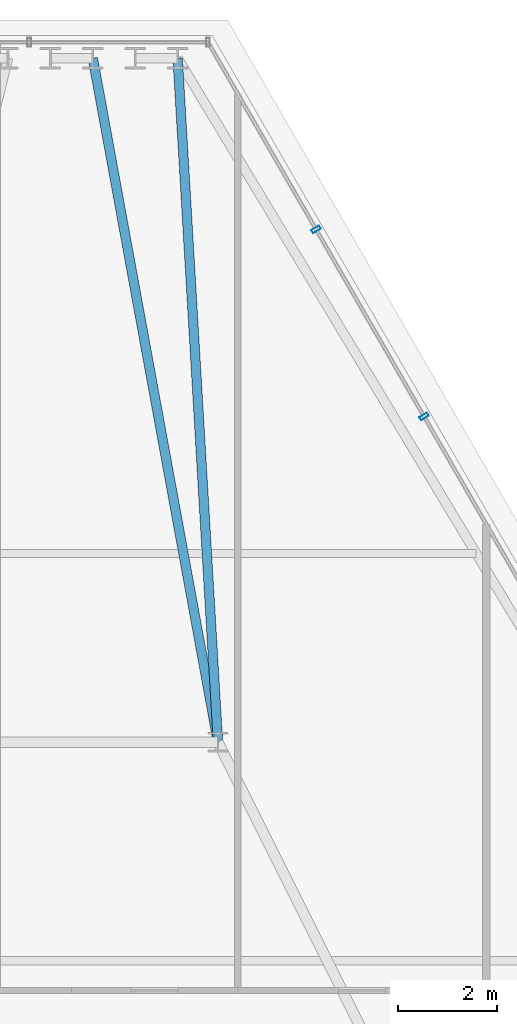
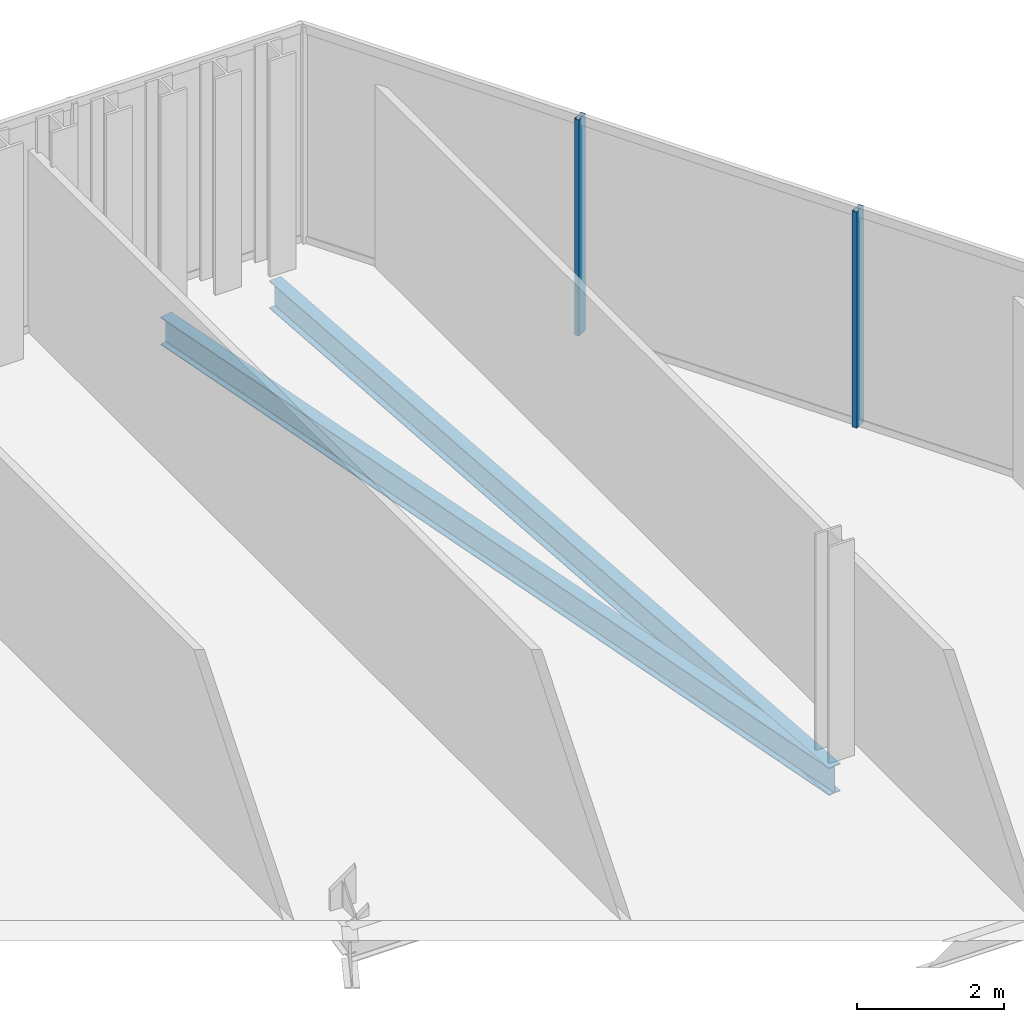
# One storey, part 21 of 29: 2 beams, 2 members, 1 element without a shape of its own.
"""IFC4 building model written with IfcOpenShell, lengths in metres."""

import ifcopenshell
import ifcopenshell.guid

model = None  # the IFC model being written
_history = None  # IfcOwnerHistory: only IFC2X3 demands one
_inside = {}  # id of a spatial element -> (the spatial element, [elements in it])
_under = {}  # id of a project, library or spatial element -> (it, [spatial elements below it])
_declared = {}  # id of a project -> (the project, [libraries it declares])
_typed = {}  # id of a type object -> (the type object, [elements of that type])
_made_of = {}  # id of a material, layer set ... -> (it, [elements and type objects made of it])


def new_model(schema):
    """Start an empty IFC model of exactly this schema.

    Asked for "IFC4X3", IfcOpenShell would pick the latest addendum, in which some entities
    have other attributes; the version numbers below select the first issue.
    IFC2X3 requires an IfcOwnerHistory on every rooted entity: one is made here for all.
    """
    global model, _history
    if schema == "IFC4X3":
        model = ifcopenshell.file(schema_version=(4, 3, 0, 0))
    else:
        model = ifcopenshell.file(schema=schema)
    _inside.clear()
    _under.clear()
    _declared.clear()
    _typed.clear()
    _made_of.clear()
    _history = None
    if model.schema == "IFC2X3":
        org = make("IfcOrganization", Name="unknown")
        user = make(
            "IfcPersonAndOrganization",
            ThePerson=make("IfcPerson", FamilyName="unknown"),
            TheOrganization=org,
        )
        app = make(
            "IfcApplication",
            ApplicationDeveloper=org,
            Version="unknown",
            ApplicationFullName="unknown",
            ApplicationIdentifier="unknown",
        )
        _history = make(
            "IfcOwnerHistory",
            OwningUser=user,
            OwningApplication=app,
            ChangeAction="ADDED",
            CreationDate=0,
        )
    return model


def make(cls, **values):
    """One entity of the class cls with the attributes given. An attribute that is None is left unset."""
    return model.create_entity(
        cls, **{name: value for name, value in values.items() if value is not None}
    )


def rooted(cls, **values):
    """An entity with a GlobalId (a new one), such as an element, a storey or a relation."""
    return make(cls, GlobalId=ifcopenshell.guid.new(), OwnerHistory=_history, **values)


def si_unit(unit_type, name, prefix=None):
    """IfcSIUnit, for example si_unit("LENGTHUNIT", "METRE", prefix="MILLI")."""
    return make("IfcSIUnit", UnitType=unit_type, Prefix=prefix, Name=name)


def assignment(units):
    """IfcUnitAssignment: the units of a project."""
    return None if units is None else make("IfcUnitAssignment", Units=units)


def point(xyz):
    """IfcCartesianPoint."""
    return None if xyz is None else make("IfcCartesianPoint", Coordinates=xyz)


def direction(xyz):
    """IfcDirection."""
    return None if xyz is None else make("IfcDirection", DirectionRatios=xyz)


def frame(location, z_axis=None, x_axis=None):
    """IfcAxis2Placement3D, a coordinate frame: its origin and axes. An axis left out is left unset."""
    return make(
        "IfcAxis2Placement3D",
        Location=point(location),
        Axis=direction(z_axis),
        RefDirection=direction(x_axis),
    )


def frame_2d(location, x_axis=None):
    """IfcAxis2Placement2D, a coordinate frame in the plane: its origin and x axis."""
    return make(
        "IfcAxis2Placement2D", Location=point(location), RefDirection=direction(x_axis)
    )


def origin():
    """The frame at (0, 0, 0) with its axes left unset."""
    return frame((0.0, 0.0, 0.0))


def origin_2d():
    """The frame at (0, 0) in the plane with its x axis left unset."""
    return frame_2d((0.0, 0.0))


def place(relative_to, where):
    """IfcLocalPlacement: puts the frame where relative to a parent placement (None: the world)."""
    return make(
        "IfcLocalPlacement", PlacementRelTo=relative_to, RelativePlacement=where
    )


def context(
    kind, dimensions, precision=None, world=None, true_north=None, identifier=None
):
    """IfcGeometricRepresentationContext, for example the 3D "Model" context."""
    return make(
        "IfcGeometricRepresentationContext",
        ContextIdentifier=identifier,
        ContextType=kind,
        CoordinateSpaceDimension=dimensions,
        Precision=precision,
        WorldCoordinateSystem=world,
        TrueNorth=true_north,
    )


def subcontext(parent, identifier, kind, view, scale=None):
    """IfcGeometricRepresentationSubContext, for example "Body" below "Model"."""
    return make(
        "IfcGeometricRepresentationSubContext",
        ContextIdentifier=identifier,
        ContextType=kind,
        ParentContext=parent,
        TargetScale=scale,
        TargetView=view,
    )


def project(units=None, contexts=None):
    """IfcProject with its units and contexts."""
    return rooted(
        "IfcProject",
        Name="project",
        RepresentationContexts=contexts,
        UnitsInContext=assignment(units),
    )


def spatial(cls, under=None, at=None, **own):
    """A site, building, storey or space (cls), placed at a placement, below another one or the project."""
    s = rooted(cls, ObjectPlacement=at, **own)
    if under is not None:
        _under.setdefault(under.id(), (under, []))[1].append(s)
    return s


def profile(cls, at=None, kind="AREA", **sizes):
    """A parametric profile (cls). Its sizes go by their IFC names, for example OverallWidth=200.0."""
    return make(cls, ProfileType=kind, Position=at, **sizes)


def hollow_rectangle(**sizes):
    """IfcRectangleHollowProfileDef."""
    return profile("IfcRectangleHollowProfileDef", **sizes)


def i_section(**sizes):
    """IfcIShapeProfileDef."""
    return profile("IfcIShapeProfileDef", **sizes)


def extrude(swept, where, along, depth):
    """IfcExtrudedAreaSolid: the profile swept, set in the frame where, extruded along a direction by depth."""
    return make(
        "IfcExtrudedAreaSolid",
        SweptArea=swept,
        Position=where,
        ExtrudedDirection=direction(along),
        Depth=depth,
    )


def shape(context_of_items, identifier, shape_type, items):
    """IfcShapeRepresentation: the items that make up one representation, for example the "Body"."""
    return make(
        "IfcShapeRepresentation",
        ContextOfItems=context_of_items,
        RepresentationIdentifier=identifier,
        RepresentationType=shape_type,
        Items=items,
    )


def material(Name=None, Category=None):
    """IfcMaterial."""
    return make("IfcMaterial", Name=Name, Category=Category)


def layer(
    of_material, thickness, ventilated=None, Name=None, Category=None, Priority=None
):
    """IfcMaterialLayer: one layer of a wall or slab, of a material (None: an air gap)."""
    return make(
        "IfcMaterialLayer",
        Material=of_material,
        LayerThickness=thickness,
        IsVentilated=ventilated,
        Name=Name,
        Category=Category,
        Priority=Priority,
    )


def layer_set(layers, Name=None):
    """IfcMaterialLayerSet."""
    return make("IfcMaterialLayerSet", MaterialLayers=layers, LayerSetName=Name)


def material_profile(
    of_material, cross_section, Name=None, Category=None, Priority=None
):
    """IfcMaterialProfile: a cross section and its material."""
    return make(
        "IfcMaterialProfile",
        Name=Name,
        Material=of_material,
        Profile=cross_section,
        Priority=Priority,
        Category=Category,
    )


def profile_set(profiles, Name=None, composite=None):
    """IfcMaterialProfileSet."""
    return make(
        "IfcMaterialProfileSet",
        Name=Name,
        MaterialProfiles=profiles,
        CompositeProfile=composite,
    )


def made_of(thing, what):
    """Note that an element or type object is made of a material, layer set ...; save() writes the relation."""
    if what is not None:
        _made_of.setdefault(what.id(), (what, []))[1].append(thing)
    return thing


def type_object(cls, material=None, **own):
    """A type object (cls), such as IfcWallType, which elements share."""
    return made_of(rooted(cls, **own), material)


def element(
    cls,
    number,
    at=None,
    inside=None,
    cuts=None,
    type_object=None,
    material=None,
    context=None,
    identifier="Body",
    shape_type=None,
    held_by="IfcProductDefinitionShape",
    body=None,
    shapes=None,
    **own,
):
    """One element of the class cls, such as IfcWall. Its Tag is "e" and its number.

    at: its placement. inside: the storey or other place that contains it. cuts: it is an
    opening in that element (IfcRelVoidsElement). A single representation is given by context,
    identifier, shape_type and body (its items); several are given by shapes. held_by: the class
    of the entity that holds the representations. save() writes the other relations.
    """
    e = rooted(cls, Tag="e%d" % number, ObjectPlacement=at, **own)
    if body is not None:
        shapes = [shape(context, identifier, shape_type, body)]
    if shapes is not None:
        e.Representation = make(held_by, Representations=shapes)
    if inside is not None:
        _inside.setdefault(inside.id(), (inside, []))[1].append(e)
    if cuts is not None:
        rooted(
            "IfcRelVoidsElement", RelatingBuildingElement=cuts, RelatedOpeningElement=e
        )
    if type_object is not None:
        _typed.setdefault(type_object.id(), (type_object, []))[1].append(e)
    return made_of(e, material)


def aggregate(whole, parts):
    """IfcRelAggregates: a whole, such as a stair, and the parts it consists of."""
    return rooted("IfcRelAggregates", RelatingObject=whole, RelatedObjects=parts)


def save(model, path):
    """Write the relations noted so far, then the file.

    IfcRelAggregates (storeys below a building ...), IfcRelContainedInSpatialStructure (elements
    in a storey), IfcRelDefinesByType, IfcRelAssociatesMaterial and IfcRelDeclares: one each for
    every whole, place, type object, material and project.
    """
    for whole, parts in _under.values():
        aggregate(whole, parts)
    for where, things in _inside.values():
        rooted(
            "IfcRelContainedInSpatialStructure",
            RelatedElements=things,
            RelatingStructure=where,
        )
    for kind, things in _typed.values():
        rooted("IfcRelDefinesByType", RelatedObjects=things, RelatingType=kind)
    for what, things in _made_of.values():
        rooted("IfcRelAssociatesMaterial", RelatedObjects=things, RelatingMaterial=what)
    for by, libraries in _declared.values():
        rooted("IfcRelDeclares", RelatingContext=by, RelatedDefinitions=libraries)
    model.write(path)


model = new_model("IFC4")

# Units and contexts
model_context = context("Model", 3, precision=1e-05, world=origin(), true_north=direction((0.0, 1.0)))
body_context = subcontext(model_context, "Body", "Model", "MODEL_VIEW")
ifc_project = project(units=[si_unit("LENGTHUNIT", "METRE"), si_unit("AREAUNIT", "SQUARE_METRE"), si_unit("VOLUMEUNIT", "CUBIC_METRE"), si_unit("PLANEANGLEUNIT", "RADIAN"), si_unit("MASSUNIT", "GRAM", prefix="KILO")], contexts=[model_context])

# Site, building, storey
site_placement = place(None, origin())
site = spatial("IfcSite", under=ifc_project, at=site_placement, CompositionType="ELEMENT")
building_placement = place(site_placement, origin())
building = spatial("IfcBuilding", under=site, at=building_placement, Name="Ndaravel Arena Tower", CompositionType="ELEMENT")
storey_placement = place(building_placement, frame((0.0, 0.0, 229.39990234375)))
storey = spatial("IfcBuildingStorey", under=building, at=storey_placement, Name="L55", CompositionType="ELEMENT", Elevation=229.39990234375)

# Beams
ifc_material_1 = material(Name="Steel S355", Category="steel")
ifc_material_profile_1 = material_profile(ifc_material_1, i_section(OverallWidth=0.19140625, OverallDepth=0.4599609375, WebThickness=0.010009765625, FlangeThickness=0.01611328125, FilletRadius=0.01025390625, at=origin_2d()), Name="UB 457x191x82")
ifc_profile_set_1 = profile_set([ifc_material_profile_1], Name="Steel S355")
beam_type = type_object("IfcBeamType", Name="BM-GIRD-UB457", PredefinedType="BEAM", material=ifc_profile_set_1)
beam_1_placement = place(storey_placement, frame((44.988037109375, 44.968994140625, -0.449951171875), z_axis=(0.058871436847, -0.998265572843, 0.0), x_axis=(0.998265572843, 0.058871436847, 0.0)))
element("IfcBeam", 1, at=beam_1_placement, inside=storey, type_object=beam_type, Name="L55 Radial Floor Girder FG-11", PredefinedType="BEAM", context=body_context, shape_type="SweptSolid", body=[
    extrude(i_section(OverallWidth=0.19140625, OverallDepth=0.4599609375, WebThickness=0.010009765625, FlangeThickness=0.01611328125, FilletRadius=0.01025390625, at=origin_2d()), origin(), (0.0, 0.0, 1.0), 13.79296875),
])
beam_2_placement = place(storey_placement, frame((43.280517578125, 44.968994140625, -0.449951171875), z_axis=(0.17999655867, -0.983667239907, 0.0), x_axis=(0.983667239907, 0.17999655867, 0.0)))
element("IfcBeam", 2, at=beam_2_placement, inside=storey, type_object=beam_type, Name="L55 Radial Floor Girder FG-13", PredefinedType="BEAM", context=body_context, shape_type="SweptSolid", body=[
    extrude(i_section(OverallWidth=0.19140625, OverallDepth=0.4599609375, WebThickness=0.010009765625, FlangeThickness=0.01611328125, FilletRadius=0.01025390625, at=origin_2d()), origin(), (0.0, 0.0, 1.0), 13.99755859375),
])

# Curtain wall, members
ifc_material_2 = material(Name="Aluminium", Category="aluminium")
ifc_layer = layer(ifc_material_2, 0.179931640625)
ifc_layer_set = layer_set([ifc_layer], Name="Aluminium")
curtain_wall_type = type_object("IfcCurtainWallType", Name="CW-SYS-03", PredefinedType="NOTDEFINED", material=ifc_layer_set)
curtain_wall_placement = place(storey_placement, origin())
curtain_wall = element("IfcCurtainWall", 3, at=curtain_wall_placement, inside=storey, type_object=curtain_wall_type, Name="L55 Faceted Crystal Curtain Wall CW-L55-E03", PredefinedType="NOTDEFINED")
ifc_material_3 = material(Name="Aluminium", Category="aluminium")
ifc_material_profile_2 = material_profile(ifc_material_3, hollow_rectangle(XDim=0.074951171875, YDim=0.179931640625, WallThickness=0.00390625, at=origin_2d()), Name="CW MULLION 75x180x4")
ifc_profile_set_2 = profile_set([ifc_material_profile_2], Name="Aluminium")
member_type = type_object("IfcMemberType", Name="MEM-CW-MUL180", PredefinedType="MULLION", material=ifc_profile_set_2)
member_1_placement = place(storey_placement, frame((49.9482421875, 37.7568359375, 0.0), z_axis=(0.0, 0.0, 1.0), x_axis=(-0.5, 0.866025403784, 0.0)))
member_1 = element("IfcMember", 4, at=member_1_placement, type_object=member_type, Name="CW-L55-E03 Mullion 07", PredefinedType="MULLION", context=body_context, shape_type="SweptSolid", body=[
    extrude(hollow_rectangle(XDim=0.074951171875, YDim=0.179931640625, WallThickness=0.00390625, at=origin_2d()), origin(), (0.0, 0.0, 1.0), 3.580078125),
])
member_2_placement = place(storey_placement, frame((47.77392578125, 41.52294921875, 0.0), z_axis=(0.0, 0.0, 1.0), x_axis=(-0.5, 0.866025403784, 0.0)))
member_2 = element("IfcMember", 5, at=member_2_placement, type_object=member_type, Name="CW-L55-E03 Mullion 08", PredefinedType="MULLION", context=body_context, shape_type="SweptSolid", body=[
    extrude(hollow_rectangle(XDim=0.074951171875, YDim=0.179931640625, WallThickness=0.00390625, at=origin_2d()), origin(), (0.0, 0.0, 1.0), 3.580078125),
])
aggregate(curtain_wall, [member_1, member_2])

save(model, "model.ifc")
